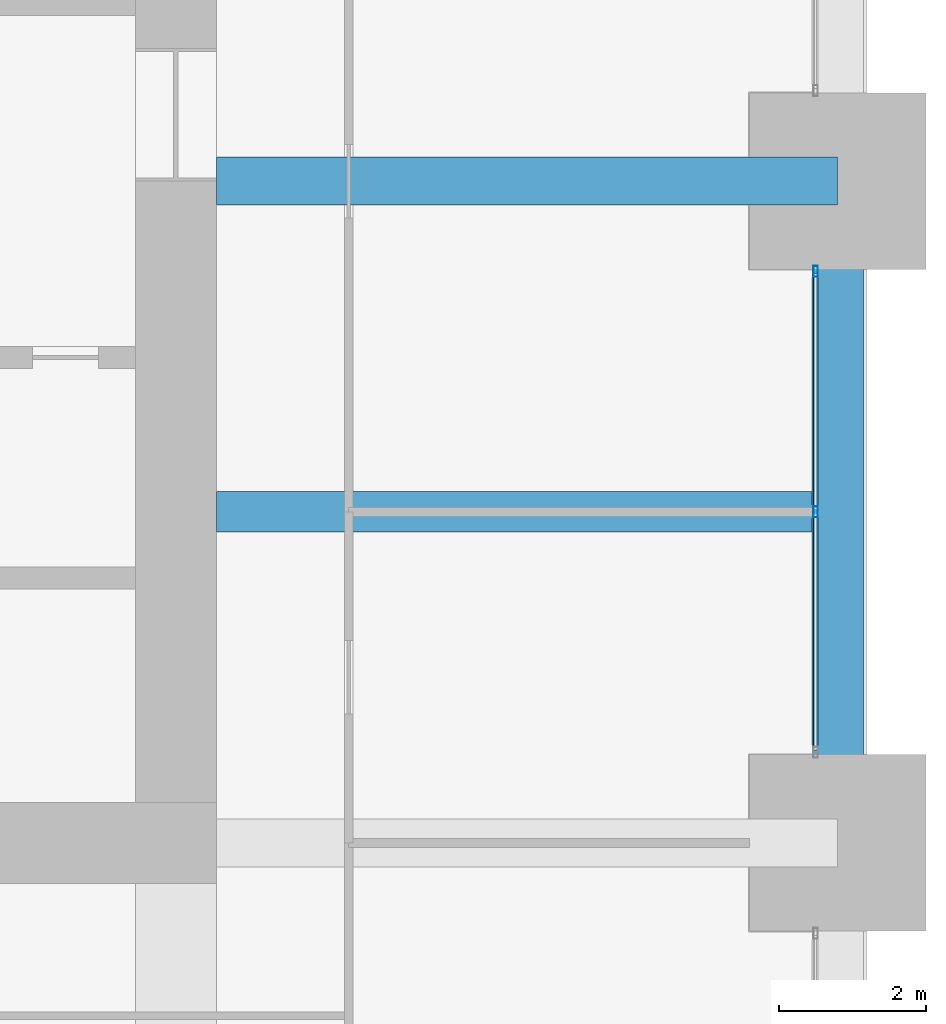
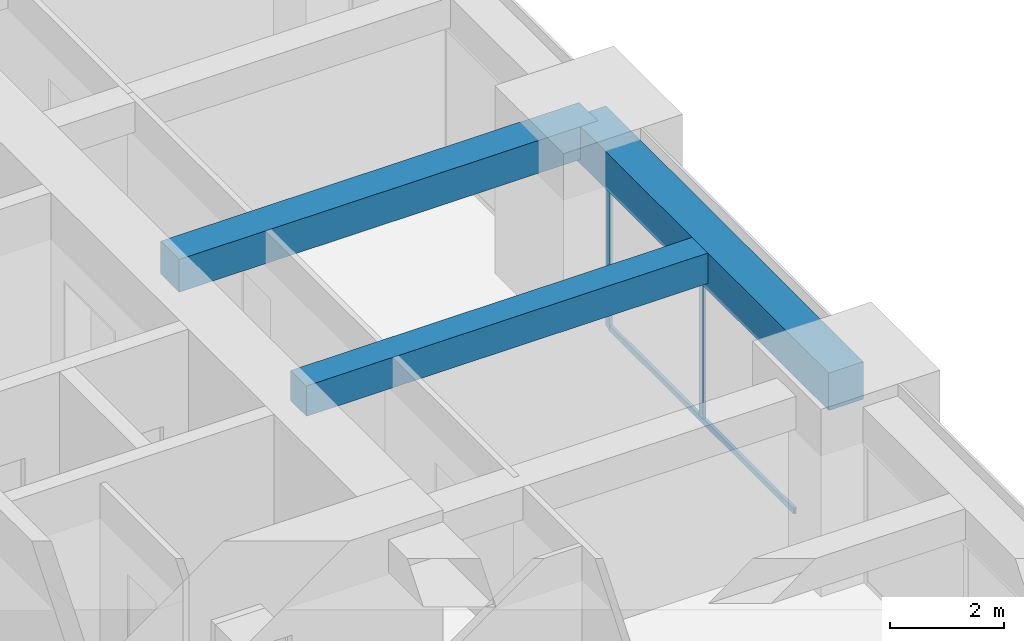
# One storey, part 18 of 34: 3 beams, 3 members, 1 element without a shape of its own.
"""IFC4 building model written with IfcOpenShell, lengths in metres."""

from ifc_helpers import new_model, si_unit, direction, frame, origin, origin_2d, place, context, subcontext, project, spatial, rectangle, hollow_rectangle, extrude, material, material_profile, profile_set, type_object, element, aggregate, save


model = new_model("IFC4")

# Units and contexts
model_context = context("Model", 3, precision=1e-05, world=origin(), true_north=direction((0.0, 1.0)))
body_context = subcontext(model_context, "Body", "Model", "MODEL_VIEW")
ifc_project = project(units=[si_unit("LENGTHUNIT", "METRE"), si_unit("AREAUNIT", "SQUARE_METRE"), si_unit("VOLUMEUNIT", "CUBIC_METRE"), si_unit("PLANEANGLEUNIT", "RADIAN"), si_unit("MASSUNIT", "GRAM", prefix="KILO")], contexts=[model_context])

# Site, building, storey
site_placement = place(None, origin())
site = spatial("IfcSite", under=ifc_project, at=site_placement, CompositionType="ELEMENT")
building_placement = place(site_placement, origin())
building = spatial("IfcBuilding", under=site, at=building_placement, Name="Zorevar Civic Tower", CompositionType="ELEMENT")
storey_placement = place(building_placement, frame((0.0, 0.0, 174.199951171875)))
storey = spatial("IfcBuildingStorey", under=building, at=storey_placement, Name="L42", CompositionType="ELEMENT", Elevation=174.199951171875)

# Beams
ifc_material_1 = material(Name="Concrete C50/60", Category="concrete")
ifc_material_profile_1 = material_profile(ifc_material_1, rectangle(XDim=0.550048828125, YDim=0.64990234375, at=origin_2d()), Name="RC 550x650")
ifc_profile_set_1 = profile_set([ifc_material_profile_1], Name="Concrete C50/60")
beam_type_1 = type_object("IfcBeamType", Name="Beam RC 550x650", PredefinedType="BEAM", material=ifc_profile_set_1)
beam_1_placement = place(storey_placement, frame((45.550048828125, 22.5, 3.425048828125), z_axis=(1.0, 0.0, 0.0), x_axis=(0.0, 1.0, 0.0)))
element("IfcBeam", 1, at=beam_1_placement, inside=storey, type_object=beam_type_1, Name="Secondary beam L43", PredefinedType="BEAM", context=body_context, shape_type="SweptSolid", body=[
    extrude(rectangle(XDim=0.550048828125, YDim=0.64990234375, at=origin_2d()), origin(), (0.0, 0.0, 1.0), 8.099853515625),
])
ifc_material_2 = material(Name="Concrete C50/60", Category="concrete")
ifc_material_profile_2 = material_profile(ifc_material_2, rectangle(XDim=0.64990234375, YDim=0.699951171875, at=origin_2d()), Name="RC 650x700")
ifc_profile_set_2 = profile_set([ifc_material_profile_2], Name="Concrete C50/60")
beam_type_2 = type_object("IfcBeamType", Name="Beam RC 650x700", PredefinedType="BEAM", material=ifc_profile_set_2)
beam_2_placement = place(storey_placement, frame((45.550048828125, 27.0, 3.400146484375), z_axis=(1.0, 0.0, 0.0), x_axis=(0.0, 1.0, 0.0)))
element("IfcBeam", 2, at=beam_2_placement, inside=storey, type_object=beam_type_2, Name="Girder L43", PredefinedType="BEAM", context=body_context, shape_type="SweptSolid", body=[
    extrude(rectangle(XDim=0.64990234375, YDim=0.699951171875, at=origin_2d()), origin(), (0.0, 0.0, 1.0), 8.449951171875),
])

# Curtain wall, members
ifc_material_3 = material(Name="Dark grey solar-control glass in black aluminium frame", Category="aluminium")
curtain_wall_type = type_object("IfcCurtainWallType", Name="Curtain wall CW4 high zone", PredefinedType="NOTDEFINED", material=ifc_material_3)
curtain_wall_placement = place(storey_placement, origin())
curtain_wall = element("IfcCurtainWall", 3, at=curtain_wall_placement, inside=storey, type_object=curtain_wall_type, Name="CW4 L42", PredefinedType="NOTDEFINED")
ifc_material_4 = material(Name="Aluminium, black anodised", Category="aluminium")
ifc_material_profile_3 = material_profile(ifc_material_4, hollow_rectangle(XDim=0.06005859375, YDim=0.14990234375, WallThickness=0.00390625, at=origin_2d()), Name="AL 150x60x4")
ifc_profile_set_3 = profile_set([ifc_material_profile_3], Name="Aluminium, black anodised")
member_type_1 = type_object("IfcMemberType", Name="CW4 mullion AL 150x60x4", PredefinedType="MULLION", material=ifc_profile_set_3)
member_1_placement = place(storey_placement, frame((53.699951171875, 22.5, 0.06005859375), z_axis=(0.0, 0.0, 1.0), x_axis=(-1.0, 0.0, 0.0)))
member_1 = element("IfcMember", 4, at=member_1_placement, type_object=member_type_1, Name="CW4 mullion 2", PredefinedType="MULLION", context=body_context, shape_type="SweptSolid", body=[
    extrude(hollow_rectangle(XDim=0.06005859375, YDim=0.14990234375, WallThickness=0.00390625, at=origin_2d()), origin(), (0.0, 0.0, 1.0), 2.889892578125),
])
member_2_placement = place(storey_placement, frame((53.699951171875, 25.77001953125, 0.0), z_axis=(0.0, 0.0, 1.0), x_axis=(-1.0, 0.0, 0.0)))
member_2 = element("IfcMember", 5, at=member_2_placement, type_object=member_type_1, Name="CW4 mullion 3", PredefinedType="MULLION", context=body_context, shape_type="SweptSolid", body=[
    extrude(hollow_rectangle(XDim=0.06005859375, YDim=0.14990234375, WallThickness=0.00390625, at=origin_2d()), origin(), (0.0, 0.0, 1.0), 2.949951171875),
])
ifc_material_5 = material(Name="Aluminium, black anodised", Category="aluminium")
ifc_material_profile_4 = material_profile(ifc_material_5, hollow_rectangle(XDim=0.06005859375, YDim=0.1201171875, WallThickness=0.0029296875, at=origin_2d()), Name="AL 120x60x3")
ifc_profile_set_4 = profile_set([ifc_material_profile_4], Name="Aluminium, black anodised")
member_type_2 = type_object("IfcMemberType", Name="CW4 transom AL 120x60x3", PredefinedType="USERDEFINED", material=ifc_profile_set_4)
member_3_placement = place(storey_placement, frame((53.699951171875, 19.260009765625, 0.030029296875), z_axis=(0.0, 1.0, 0.0), x_axis=(-1.0, 0.0, 0.0)))
member_3 = element("IfcMember", 6, at=member_3_placement, type_object=member_type_2, Name="CW4 sill transom", ObjectType="TRANSOM", PredefinedType="USERDEFINED", context=body_context, shape_type="SweptSolid", body=[
    extrude(hollow_rectangle(XDim=0.06005859375, YDim=0.1201171875, WallThickness=0.0029296875, at=origin_2d()), origin(), (0.0, 0.0, 1.0), 6.47998046875),
])
aggregate(curtain_wall, [member_1, member_2, member_3])

# Beam
ifc_material_6 = material(Name="Concrete C50/60", Category="concrete")
ifc_material_profile_5 = material_profile(ifc_material_6, rectangle(XDim=0.699951171875, YDim=0.800048828125, at=origin_2d()), Name="RC 700x800")
ifc_profile_set_5 = profile_set([ifc_material_profile_5], Name="Concrete C50/60")
beam_type_3 = type_object("IfcBeamType", Name="Edge beam RC 700x800", PredefinedType="SPANDREL", material=ifc_profile_set_5)
beam_3_placement = place(storey_placement, frame((54.0, 18.0, 3.35009765625), z_axis=(0.0, 1.0, 0.0), x_axis=(-1.0, 0.0, 0.0)))
element("IfcBeam", 7, at=beam_3_placement, inside=storey, type_object=beam_type_3, Name="Edge beam L43", PredefinedType="SPANDREL", context=body_context, shape_type="SweptSolid", body=[
    extrude(rectangle(XDim=0.699951171875, YDim=0.800048828125, at=origin_2d()), origin(), (0.0, 0.0, 1.0), 9.0),
])

save(model, "model.ifc")
